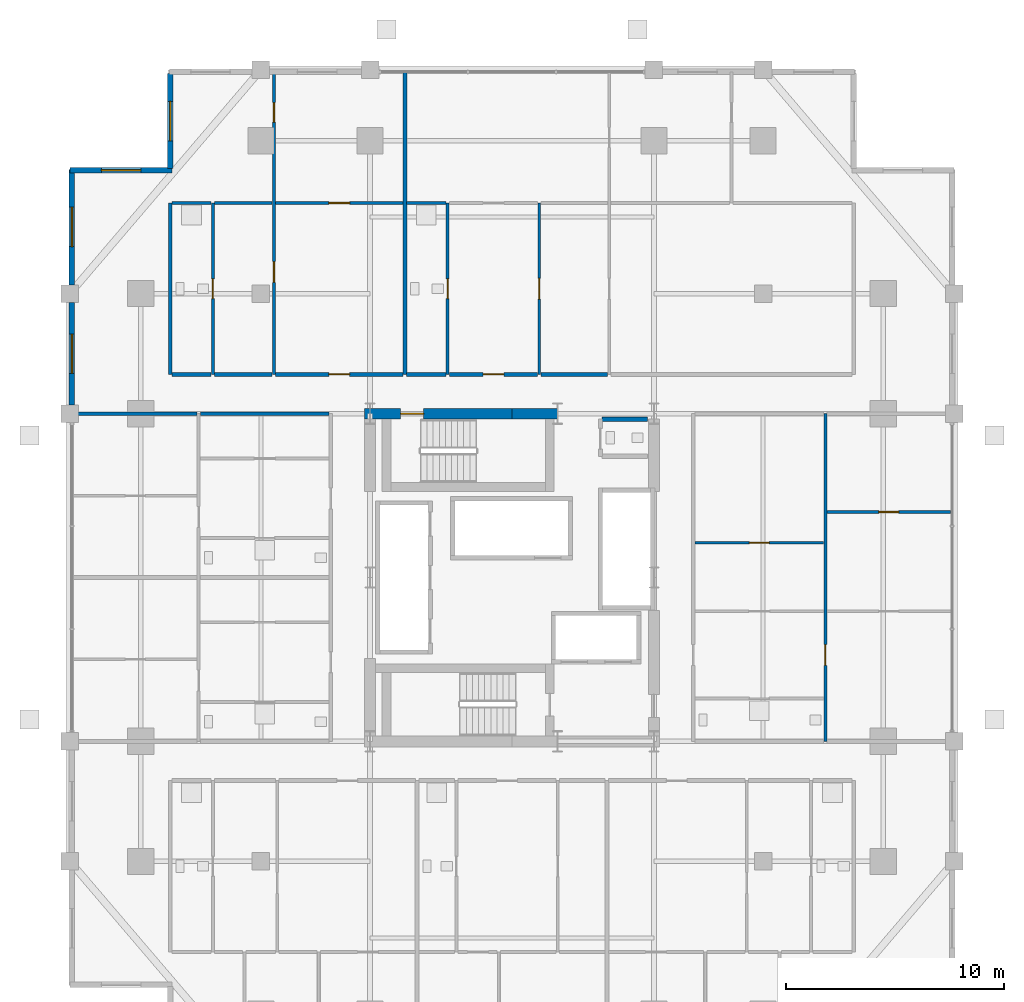
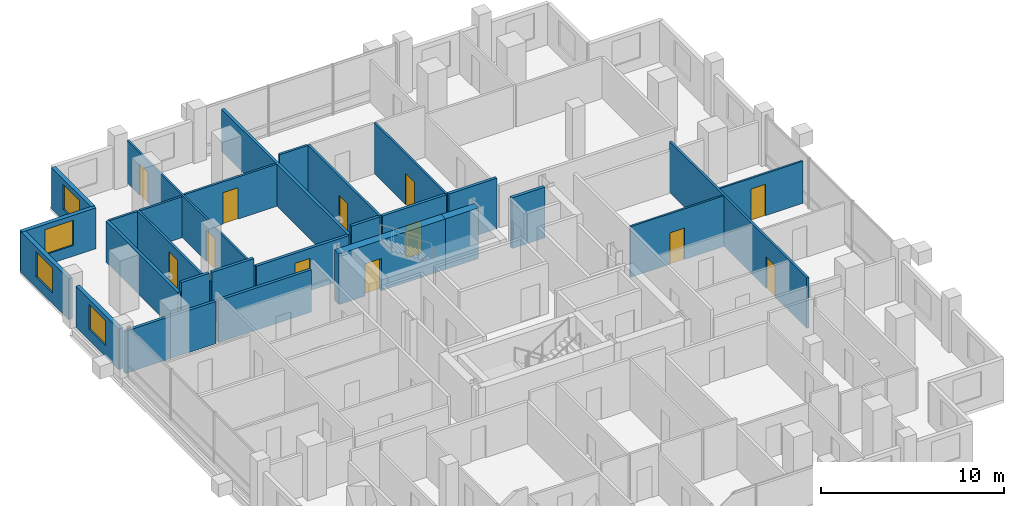
# One storey, part 17 of 20: 28 walls, 12 doors, 4 windows, 16 openings.
"""IFC4 building model written with IfcOpenShell, lengths in metres."""

from ifc_helpers import new_model, si_unit, direction, frame, frame_2d, origin, place, context, subcontext, project, spatial, rectangle, extrude, material, layer, layer_set, type_object, element, fill, save


model = new_model("IFC4")

# Units and contexts
model_context = context("Model", 3, precision=1e-05, world=origin(), true_north=direction((0.0, 1.0)))
body_context = subcontext(model_context, "Body", "Model", "MODEL_VIEW")
ifc_project = project(units=[si_unit("LENGTHUNIT", "METRE"), si_unit("AREAUNIT", "SQUARE_METRE"), si_unit("VOLUMEUNIT", "CUBIC_METRE"), si_unit("PLANEANGLEUNIT", "RADIAN"), si_unit("MASSUNIT", "GRAM", prefix="KILO")], contexts=[model_context])

# Site, building, storey
site_placement = place(None, origin())
site = spatial("IfcSite", under=ifc_project, at=site_placement, CompositionType="ELEMENT")
building_placement = place(site_placement, origin())
building = spatial("IfcBuilding", under=site, at=building_placement, Name="Barlavira Tower and Art Museum", CompositionType="ELEMENT")
storey_placement = place(building_placement, frame((0.0, 0.0, 102.60009765625)))
storey = spatial("IfcBuildingStorey", under=building, at=storey_placement, Name="L25", CompositionType="ELEMENT", Elevation=102.60009765625)

# Wall, openings, doors
ifc_material_1 = material(Name="Gypsum acoustic stud partition", Category="gypsum")
ifc_layer_1 = layer(ifc_material_1, 0.1201171875, Name="Gypsum acoustic stud partition")
ifc_layer_set_1 = layer_set([ifc_layer_1], Name="Gypsum acoustic stud partition")
wall_type_1 = type_object("IfcWallType", Name="Apartment Internal Acoustic Partition 120", PredefinedType="PARTITIONING", material=ifc_layer_set_1)
wall_1_placement = place(storey_placement, frame((-10.89990234375, 9.300048828125, 0.0), z_axis=(0.0, 0.0, 1.0), x_axis=(0.0, 1.0, 0.0)))
wall_1 = element("IfcWall", 1, at=wall_1_placement, inside=storey, type_object=wall_type_1, Name="L25 Partition Wall 7", PredefinedType="PARTITIONING", context=body_context, shape_type="SweptSolid", body=[
    extrude(rectangle(XDim=13.849853515625, YDim=0.1201171875, at=frame_2d((6.9248046875, 0.0))), origin(), (0.0, 0.0, 1.0), 2.81591796875),
])
opening_1_placement = place(wall_1_placement, frame((4.218505859375, 0.0, 0.0)))
opening_1 = element("IfcOpeningElement", 2, at=opening_1_placement, cuts=wall_1, Name="Opening D-02", PredefinedType="OPENING", context=body_context, shape_type="SweptSolid", body=[
    extrude(rectangle(XDim=0.949951171875, YDim=2.10009765625, at=frame_2d((0.47509765625, 1.050048828125))), frame((0.0, 0.070068359375, 0.0), z_axis=(0.0, -1.0, 0.0), x_axis=(1.0, 0.0, 0.0)), (0.0, 0.0, 1.0), 0.14013671875),
])
opening_2_placement = place(wall_1_placement, frame((11.551025390625, 0.0, 0.0)))
opening_2 = element("IfcOpeningElement", 3, at=opening_2_placement, cuts=wall_1, Name="Opening D-01", PredefinedType="OPENING", context=body_context, shape_type="SweptSolid", body=[
    extrude(rectangle(XDim=0.89990234375, YDim=2.10009765625, at=frame_2d((0.449951171875, 1.050048828125))), frame((0.0, 0.070068359375, 0.0), z_axis=(0.0, -1.0, 0.0), x_axis=(1.0, 0.0, 0.0)), (0.0, 0.0, 1.0), 0.14013671875),
])
ifc_material_2 = material(Name="Engineered coastal hardwood", Category="wood")
door_type_1 = type_object("IfcDoorType", Name="Internal Bedroom Timber Flush Door 900x2100", OperationType="NOTDEFINED", PredefinedType="DOOR", material=ifc_material_2)
door_1_placement = place(opening_2_placement, origin())
door_1 = element("IfcDoor", 4, at=door_1_placement, inside=storey, type_object=door_type_1, Name="Apartment N1 Bedroom 1 Door", OperationType="SINGLE_SWING_RIGHT", OverallHeight=2.10009765625, OverallWidth=0.89990234375, PredefinedType="DOOR", context=body_context, shape_type="SweptSolid", body=[
    extrude(rectangle(XDim=0.89990234375, YDim=2.10009765625, at=frame_2d((0.449951171875, 1.050048828125))), frame((0.0, 0.02490234375, 0.0), z_axis=(0.0, -1.0, 0.0), x_axis=(1.0, 0.0, 0.0)), (0.0, 0.0, 1.0), 0.050048828125),
])
fill(opening_2, door_1)
door_type_2 = type_object("IfcDoorType", Name="Living and Salon Glazed-Leaf Door 950x2100", OperationType="NOTDEFINED", PredefinedType="DOOR", material=ifc_material_2)
door_2_placement = place(opening_1_placement, origin())
door_2 = element("IfcDoor", 5, at=door_2_placement, inside=storey, type_object=door_type_2, Name="Apartment N1 Kitchen Door", OperationType="SINGLE_SWING_LEFT", OverallHeight=2.10009765625, OverallWidth=0.949951171875, PredefinedType="DOOR", context=body_context, shape_type="SweptSolid", body=[
    extrude(rectangle(XDim=0.949951171875, YDim=2.10009765625, at=frame_2d((0.47509765625, 1.050048828125))), frame((0.0, 0.02490234375, 0.0), z_axis=(0.0, -1.0, 0.0), x_axis=(1.0, 0.0, 0.0)), (0.0, 0.0, 1.0), 0.050048828125),
])
fill(opening_1, door_2)

# Wall, opening, door
wall_2_placement = place(storey_placement, frame((1.25, 9.300048828125, 0.0), z_axis=(0.0, 0.0, 1.0), x_axis=(0.0, 1.0, 0.0)))
wall_2 = element("IfcWall", 6, at=wall_2_placement, inside=storey, type_object=wall_type_1, Name="L25 Partition Wall 16", PredefinedType="PARTITIONING", context=body_context, shape_type="SweptSolid", body=[
    extrude(rectangle(XDim=7.849853515625, YDim=0.1201171875, at=frame_2d((3.9248046875, 0.0))), origin(), (0.0, 0.0, 1.0), 3.3798828125),
])
opening_3_placement = place(wall_2_placement, frame((3.445068359375, 0.0, 0.0)))
opening_3 = element("IfcOpeningElement", 7, at=opening_3_placement, cuts=wall_2, Name="Opening D-02", PredefinedType="OPENING", context=body_context, shape_type="SweptSolid", body=[
    extrude(rectangle(XDim=0.949951171875, YDim=2.10009765625, at=frame_2d((0.47509765625, 1.050048828125))), frame((0.0, 0.070068359375, 0.0), z_axis=(0.0, -1.0, 0.0), x_axis=(1.0, 0.0, 0.0)), (0.0, 0.0, 1.0), 0.14013671875),
])
door_3_placement = place(opening_3_placement, origin())
door_3 = element("IfcDoor", 8, at=door_3_placement, inside=storey, type_object=door_type_2, Name="Apartment N2 Kitchen Door", OperationType="SINGLE_SWING_LEFT", OverallHeight=2.10009765625, OverallWidth=0.949951171875, PredefinedType="DOOR", context=body_context, shape_type="SweptSolid", body=[
    extrude(rectangle(XDim=0.949951171875, YDim=2.10009765625, at=frame_2d((0.47509765625, 1.050048828125))), frame((0.0, 0.02490234375, 0.0), z_axis=(0.0, -1.0, 0.0), x_axis=(1.0, 0.0, 0.0)), (0.0, 0.0, 1.0), 0.050048828125),
])
fill(opening_3, door_3)

wall_3_placement = place(storey_placement, frame((8.3798828125, 1.60009765625, 0.0), z_axis=(0.0, 0.0, 1.0), x_axis=(1.0, 0.0, 0.0)))
wall_3 = element("IfcWall", 9, at=wall_3_placement, inside=storey, type_object=wall_type_1, Name="L25 Partition Wall 65", PredefinedType="PARTITIONING", context=body_context, shape_type="SweptSolid", body=[
    extrude(rectangle(XDim=5.89013671875, YDim=0.1201171875, at=frame_2d((2.945068359375, 0.0))), origin(), (0.0, 0.0, 1.0), 3.3798828125),
])
opening_4_placement = place(wall_3_placement, frame((2.489990234375, 0.0, 0.0)))
opening_4 = element("IfcOpeningElement", 10, at=opening_4_placement, cuts=wall_3, Name="Opening D-01", PredefinedType="OPENING", context=body_context, shape_type="SweptSolid", body=[
    extrude(rectangle(XDim=0.89990234375, YDim=2.10009765625, at=frame_2d((0.449951171875, 1.050048828125))), frame((0.0, 0.070068359375, 0.0), z_axis=(0.0, -1.0, 0.0), x_axis=(1.0, 0.0, 0.0)), (0.0, 0.0, 1.0), 0.14013671875),
])
door_4_placement = place(opening_4_placement, origin())
door_4 = element("IfcDoor", 11, at=door_4_placement, inside=storey, type_object=door_type_1, Name="Apartment E1 Walk-In Dressing Room Door", OperationType="SINGLE_SWING_LEFT", OverallHeight=2.10009765625, OverallWidth=0.89990234375, PredefinedType="DOOR", context=body_context, shape_type="SweptSolid", body=[
    extrude(rectangle(XDim=0.89990234375, YDim=2.10009765625, at=frame_2d((0.449951171875, 1.050048828125))), frame((0.0, 0.02490234375, 0.0), z_axis=(0.0, -1.0, 0.0), x_axis=(1.0, 0.0, 0.0)), (0.0, 0.0, 1.0), 0.050048828125),
])
fill(opening_4, door_4)

wall_4_placement = place(storey_placement, frame((14.429931640625, 3.0, 0.0), z_axis=(0.0, 0.0, 1.0), x_axis=(1.0, 0.0, 0.0)))
wall_4 = element("IfcWall", 12, at=wall_4_placement, inside=storey, type_object=wall_type_1, Name="L25 Partition Wall 67", PredefinedType="PARTITIONING", context=body_context, shape_type="SweptSolid", body=[
    extrude(rectangle(XDim=5.64013671875, YDim=0.1201171875, at=frame_2d((2.820068359375, 0.0))), origin(), (0.0, 0.0, 1.0), 2.81591796875),
])
opening_5_placement = place(wall_4_placement, frame((2.3701171875, 0.0, 0.0)))
opening_5 = element("IfcOpeningElement", 13, at=opening_5_placement, cuts=wall_4, Name="Opening D-01", PredefinedType="OPENING", context=body_context, shape_type="SweptSolid", body=[
    extrude(rectangle(XDim=0.89990234375, YDim=2.10009765625, at=frame_2d((0.449951171875, 1.050048828125))), frame((0.0, 0.070068359375, 0.0), z_axis=(0.0, -1.0, 0.0), x_axis=(1.0, 0.0, 0.0)), (0.0, 0.0, 1.0), 0.14013671875),
])
door_5_placement = place(opening_5_placement, origin())
door_5 = element("IfcDoor", 14, at=door_5_placement, inside=storey, type_object=door_type_1, Name="Apartment E1 Bedroom 2 Door", OperationType="SINGLE_SWING_RIGHT", OverallHeight=2.10009765625, OverallWidth=0.89990234375, PredefinedType="DOOR", context=body_context, shape_type="SweptSolid", body=[
    extrude(rectangle(XDim=0.89990234375, YDim=2.10009765625, at=frame_2d((0.449951171875, 1.050048828125))), frame((0.0, 0.02490234375, 0.0), z_axis=(0.0, -1.0, 0.0), x_axis=(1.0, 0.0, 0.0)), (0.0, 0.0, 1.0), 0.050048828125),
])
fill(opening_5, door_5)

ifc_material_3 = material(Name="Concrete C60", Category="concrete")
ifc_layer_2 = layer(ifc_material_3, 0.5, Name="Concrete C60")
ifc_layer_set_2 = layer_set([ifc_layer_2], Name="Concrete C60")
wall_type_2 = type_object("IfcWallType", Name="Core Structural Shear Wall 500 Concrete C60", PredefinedType="SHEAR", material=ifc_layer_set_2)
wall_5_placement = place(storey_placement, frame((-6.75, 7.5, 0.0), z_axis=(0.0, 0.0, 1.0), x_axis=(1.0, 0.0, 0.0)))
wall_5 = element("IfcWall", 15, at=wall_5_placement, inside=storey, type_object=wall_type_2, Name="L25 Core Shear Wall CS-NW", PredefinedType="SHEAR", context=body_context, shape_type="SweptSolid", body=[
    extrude(rectangle(XDim=6.75, YDim=0.5, at=frame_2d((3.375, 0.0))), origin(), (0.0, 0.0, 1.0), 3.3798828125),
])
opening_6_placement = place(wall_5_placement, frame((1.64990234375, 0.0, 0.0)))
opening_6 = element("IfcOpeningElement", 16, at=opening_6_placement, cuts=wall_5, Name="Opening FD-90", PredefinedType="OPENING", context=body_context, shape_type="SweptSolid", body=[
    extrude(rectangle(XDim=1.050048828125, YDim=2.14990234375, at=frame_2d((0.52490234375, 1.074951171875))), frame((0.0, 0.260009765625, 0.0), z_axis=(0.0, -1.0, 0.0), x_axis=(1.0, 0.0, 0.0)), (0.0, 0.0, 1.0), 0.52001953125),
])
ifc_material_4 = material(Name="Brushed stainless steel", Category="steel")
door_type_3 = type_object("IfcDoorType", Name="Stair and Refuge Fire Door 1050x2150 FD90S", OperationType="NOTDEFINED", PredefinedType="DOOR", material=ifc_material_4)
door_6_placement = place(opening_6_placement, origin())
door_6 = element("IfcDoor", 17, at=door_6_placement, inside=storey, type_object=door_type_3, Name="L25 Stair ST-T2 Fire Door", OperationType="SINGLE_SWING_LEFT", OverallHeight=2.14990234375, OverallWidth=1.050048828125, PredefinedType="DOOR", context=body_context, shape_type="SweptSolid", body=[
    extrude(rectangle(XDim=1.050048828125, YDim=2.14990234375, at=frame_2d((0.52490234375, 1.074951171875))), frame((0.0, 0.02490234375, 0.0), z_axis=(0.0, -1.0, 0.0), x_axis=(1.0, 0.0, 0.0)), (0.0, 0.0, 1.0), 0.050048828125),
])
fill(opening_6, door_6)

# Walls
wall_6_placement = place(storey_placement, frame((0.0, 7.5, 0.0), z_axis=(0.0, 0.0, 1.0), x_axis=(1.0, 0.0, 0.0)))
element("IfcWall", 18, at=wall_6_placement, inside=storey, type_object=wall_type_2, Name="L25 Core Shear Wall CS-EN", PredefinedType="SHEAR", context=body_context, shape_type="SweptSolid", body=[
    extrude(rectangle(XDim=2.080078125, YDim=0.5, at=frame_2d((1.0400390625, 0.0))), origin(), (0.0, 0.0, 1.0), 3.3798828125),
])
ifc_material_5 = material(Name="Autoclaved aerated concrete masonry", Category="masonry")
ifc_layer_3 = layer(ifc_material_5, 0.199951171875, Name="Autoclaved aerated concrete masonry")
ifc_layer_set_3 = layer_set([ifc_layer_3], Name="Autoclaved aerated concrete masonry")
wall_type_3 = type_object("IfcWallType", Name="Fire Compartment and Shaft Wall 200", PredefinedType="SOLIDWALL", material=ifc_layer_set_3)
wall_7_placement = place(storey_placement, frame((4.1298828125, 7.25, 0.0), z_axis=(0.0, 0.0, 1.0), x_axis=(1.0, 0.0, 0.0)))
element("IfcWall", 19, at=wall_7_placement, inside=storey, type_object=wall_type_3, Name="L25 Partition Wall 71", PredefinedType="SOLIDWALL", context=body_context, shape_type="SweptSolid", body=[
    extrude(rectangle(XDim=2.070068359375, YDim=0.199951171875, at=frame_2d((1.03515625, 0.0))), origin(), (0.0, 0.0, 1.0), 3.3798828125),
])
ifc_layer_4 = layer(ifc_material_1, 0.179931640625, Name="Gypsum acoustic stud partition")
ifc_layer_set_4 = layer_set([ifc_layer_4], Name="Gypsum acoustic stud partition")
wall_type_4 = type_object("IfcWallType", Name="Inter-Tenancy Party Partition Wall 180", PredefinedType="PARTITIONING", material=ifc_layer_set_4)
wall_8_placement = place(storey_placement, frame((-15.64990234375, 9.300048828125, 0.0), z_axis=(0.0, 0.0, 1.0), x_axis=(0.0, 1.0, 0.0)))
element("IfcWall", 20, at=wall_8_placement, inside=storey, type_object=wall_type_4, Name="L25 Partition Wall 2", PredefinedType="PARTITIONING", context=body_context, shape_type="SweptSolid", body=[
    extrude(rectangle(XDim=7.849853515625, YDim=0.179931640625, at=frame_2d((3.9248046875, 0.0))), origin(), (0.0, 0.0, 1.0), 2.73583984375),
])
wall_9_placement = place(storey_placement, frame((-4.89990234375, 9.300048828125, 0.0), z_axis=(0.0, 0.0, 1.0), x_axis=(0.0, 1.0, 0.0)))
element("IfcWall", 21, at=wall_9_placement, inside=storey, type_object=wall_type_4, Name="L25 Partition Wall 11", PredefinedType="PARTITIONING", context=body_context, shape_type="SweptSolid", body=[
    extrude(rectangle(XDim=13.849853515625, YDim=0.179931640625, at=frame_2d((6.9248046875, 0.0))), origin(), (0.0, 0.0, 1.0), 2.81591796875),
])
wall_10_placement = place(storey_placement, frame((-20.14990234375, 7.5, 0.0), z_axis=(0.0, 0.0, 1.0), x_axis=(1.0, 0.0, 0.0)))
element("IfcWall", 22, at=wall_10_placement, inside=storey, type_object=wall_type_4, Name="L25 Partition Wall 72", PredefinedType="PARTITIONING", context=body_context, shape_type="SweptSolid", body=[
    extrude(rectangle(XDim=5.719970703125, YDim=0.179931640625, at=frame_2d((2.85986328125, 0.0))), origin(), (0.0, 0.0, 1.0), 2.81591796875),
])
wall_11_placement = place(storey_placement, frame((-14.27001953125, 7.5, 0.0), z_axis=(0.0, 0.0, 1.0), x_axis=(1.0, 0.0, 0.0)))
element("IfcWall", 23, at=wall_11_placement, inside=storey, type_object=wall_type_4, Name="L25 Partition Wall 73", PredefinedType="PARTITIONING", context=body_context, shape_type="SweptSolid", body=[
    extrude(rectangle(XDim=5.89013671875, YDim=0.179931640625, at=frame_2d((2.945068359375, 0.0))), origin(), (0.0, 0.0, 1.0), 2.81591796875),
])
wall_12_placement = place(storey_placement, frame((-15.570068359375, 9.300048828125, 0.0), z_axis=(0.0, 0.0, 1.0), x_axis=(1.0, 0.0, 0.0)))
element("IfcWall", 24, at=wall_12_placement, inside=storey, type_object=wall_type_4, Name="L25 Partition Wall 76", PredefinedType="PARTITIONING", context=body_context, shape_type="SweptSolid", body=[
    extrude(rectangle(XDim=1.7900390625, YDim=0.179931640625, at=frame_2d((0.89501953125, 0.0))), origin(), (0.0, 0.0, 1.0), 3.3798828125),
])
wall_13_placement = place(storey_placement, frame((-13.6201171875, 9.300048828125, 0.0), z_axis=(0.0, 0.0, 1.0), x_axis=(1.0, 0.0, 0.0)))
element("IfcWall", 25, at=wall_13_placement, inside=storey, type_object=wall_type_4, Name="L25 Partition Wall 77", PredefinedType="PARTITIONING", context=body_context, shape_type="SweptSolid", body=[
    extrude(rectangle(XDim=2.64013671875, YDim=0.179931640625, at=frame_2d((1.320068359375, 0.0))), origin(), (0.0, 0.0, 1.0), 3.3798828125),
])

# Wall, opening, door
wall_14_placement = place(storey_placement, frame((-10.820068359375, 9.300048828125, 0.0), z_axis=(0.0, 0.0, 1.0), x_axis=(1.0, 0.0, 0.0)))
wall_14 = element("IfcWall", 26, at=wall_14_placement, inside=storey, type_object=wall_type_4, Name="L25 Partition Wall 78", PredefinedType="PARTITIONING", context=body_context, shape_type="SweptSolid", body=[
    extrude(rectangle(XDim=5.840087890625, YDim=0.179931640625, at=frame_2d((2.919921875, 0.0))), origin(), (0.0, 0.0, 1.0), 2.81591796875),
])
opening_7_placement = place(wall_14_placement, frame((2.43505859375, 0.0, 0.0)))
opening_7 = element("IfcOpeningElement", 27, at=opening_7_placement, cuts=wall_14, Name="Opening FD-60", PredefinedType="OPENING", context=body_context, shape_type="SweptSolid", body=[
    extrude(rectangle(XDim=0.949951171875, YDim=2.14990234375, at=frame_2d((0.47509765625, 1.074951171875))), frame((0.0, 0.10009765625, 0.0), z_axis=(0.0, -1.0, 0.0), x_axis=(1.0, 0.0, 0.0)), (0.0, 0.0, 1.0), 0.199951171875),
])
door_type_4 = type_object("IfcDoorType", Name="Apartment Entrance and Riser Fire Door 950x2150 FD60S", OperationType="NOTDEFINED", PredefinedType="DOOR", material=ifc_material_4)
door_7_placement = place(opening_7_placement, origin())
door_7 = element("IfcDoor", 28, at=door_7_placement, inside=storey, type_object=door_type_4, Name="Apartment Entrance Hall N1 Door", OperationType="SINGLE_SWING_RIGHT", OverallHeight=2.14990234375, OverallWidth=0.949951171875, PredefinedType="DOOR", context=body_context, shape_type="SweptSolid", body=[
    extrude(rectangle(XDim=0.949951171875, YDim=2.14990234375, at=frame_2d((0.47509765625, 1.074951171875))), frame((0.0, 0.02490234375, 0.0), z_axis=(0.0, -1.0, 0.0), x_axis=(1.0, 0.0, 0.0)), (0.0, 0.0, 1.0), 0.050048828125),
])
fill(opening_7, door_7)

# Wall
wall_15_placement = place(storey_placement, frame((-4.820068359375, 9.300048828125, 0.0), z_axis=(0.0, 0.0, 1.0), x_axis=(1.0, 0.0, 0.0)))
element("IfcWall", 29, at=wall_15_placement, inside=storey, type_object=wall_type_4, Name="L25 Partition Wall 79", PredefinedType="PARTITIONING", context=body_context, shape_type="SweptSolid", body=[
    extrude(rectangle(XDim=1.7900390625, YDim=0.179931640625, at=frame_2d((0.89501953125, 0.0))), origin(), (0.0, 0.0, 1.0), 3.3798828125),
])

# Wall, opening, door
wall_16_placement = place(storey_placement, frame((-2.8701171875, 9.300048828125, 0.0), z_axis=(0.0, 0.0, 1.0), x_axis=(1.0, 0.0, 0.0)))
wall_16 = element("IfcWall", 30, at=wall_16_placement, inside=storey, type_object=wall_type_4, Name="L25 Partition Wall 80", PredefinedType="PARTITIONING", context=body_context, shape_type="SweptSolid", body=[
    extrude(rectangle(XDim=4.0400390625, YDim=0.179931640625, at=frame_2d((2.02001953125, 0.0))), origin(), (0.0, 0.0, 1.0), 3.3798828125),
])
opening_8_placement = place(wall_16_placement, frame((1.544921875, 0.0, 0.0)))
opening_8 = element("IfcOpeningElement", 31, at=opening_8_placement, cuts=wall_16, Name="Opening FD-60", PredefinedType="OPENING", context=body_context, shape_type="SweptSolid", body=[
    extrude(rectangle(XDim=0.949951171875, YDim=2.14990234375, at=frame_2d((0.47509765625, 1.074951171875))), frame((0.0, 0.10009765625, 0.0), z_axis=(0.0, -1.0, 0.0), x_axis=(1.0, 0.0, 0.0)), (0.0, 0.0, 1.0), 0.199951171875),
])
door_8_placement = place(opening_8_placement, origin())
door_8 = element("IfcDoor", 32, at=door_8_placement, inside=storey, type_object=door_type_4, Name="Apartment Entrance Hall N2 Door", OperationType="SINGLE_SWING_RIGHT", OverallHeight=2.14990234375, OverallWidth=0.949951171875, PredefinedType="DOOR", context=body_context, shape_type="SweptSolid", body=[
    extrude(rectangle(XDim=0.949951171875, YDim=2.14990234375, at=frame_2d((0.47509765625, 1.074951171875))), frame((0.0, 0.02490234375, 0.0), z_axis=(0.0, -1.0, 0.0), x_axis=(1.0, 0.0, 0.0)), (0.0, 0.0, 1.0), 0.050048828125),
])
fill(opening_8, door_8)

# Wall
wall_17_placement = place(storey_placement, frame((1.330078125, 9.300048828125, 0.0), z_axis=(0.0, 0.0, 1.0), x_axis=(1.0, 0.0, 0.0)))
element("IfcWall", 33, at=wall_17_placement, inside=storey, type_object=wall_type_4, Name="L25 Partition Wall 81", PredefinedType="PARTITIONING", context=body_context, shape_type="SweptSolid", body=[
    extrude(rectangle(XDim=3.0400390625, YDim=0.179931640625, at=frame_2d((1.52001953125, 0.0))), origin(), (0.0, 0.0, 1.0), 3.3798828125),
])

# Wall, opening, door
ifc_layer_5 = layer(ifc_material_1, 0.139892578125, Name="Gypsum acoustic stud partition")
ifc_layer_set_5 = layer_set([ifc_layer_5], Name="Gypsum acoustic stud partition")
wall_type_5 = type_object("IfcWallType", Name="Moisture-Resistant Bathroom Partition 140", PredefinedType="PARTITIONING", material=ifc_layer_set_5)
wall_18_placement = place(storey_placement, frame((-13.699951171875, 9.300048828125, 0.0), z_axis=(0.0, 0.0, 1.0), x_axis=(0.0, 1.0, 0.0)))
wall_18 = element("IfcWall", 34, at=wall_18_placement, inside=storey, type_object=wall_type_5, Name="L25 Partition Wall 5", PredefinedType="PARTITIONING", context=body_context, shape_type="SweptSolid", body=[
    extrude(rectangle(XDim=7.849853515625, YDim=0.139892578125, at=frame_2d((3.9248046875, 0.0))), origin(), (0.0, 0.0, 1.0), 2.73583984375),
])
opening_9_placement = place(wall_18_placement, frame((3.469970703125, 0.0, 0.0)))
opening_9 = element("IfcOpeningElement", 35, at=opening_9_placement, cuts=wall_18, Name="Opening D-WC", PredefinedType="OPENING", context=body_context, shape_type="SweptSolid", body=[
    extrude(rectangle(XDim=0.89990234375, YDim=2.10009765625, at=frame_2d((0.449951171875, 1.050048828125))), frame((0.0, 0.080078125, 0.0), z_axis=(0.0, -1.0, 0.0), x_axis=(1.0, 0.0, 0.0)), (0.0, 0.0, 1.0), 0.159912109375),
])
door_type_5 = type_object("IfcDoorType", Name="Accessible Bathroom Flush Door 900x2100", OperationType="NOTDEFINED", PredefinedType="DOOR", material=ifc_material_2)
door_9_placement = place(opening_9_placement, origin())
door_9 = element("IfcDoor", 36, at=door_9_placement, inside=storey, type_object=door_type_5, Name="Apartment N1 Hall Bathroom Door", OperationType="SINGLE_SWING_RIGHT", OverallHeight=2.10009765625, OverallWidth=0.89990234375, PredefinedType="DOOR", context=body_context, shape_type="SweptSolid", body=[
    extrude(rectangle(XDim=0.89990234375, YDim=2.10009765625, at=frame_2d((0.449951171875, 1.050048828125))), frame((0.0, 0.02490234375, 0.0), z_axis=(0.0, -1.0, 0.0), x_axis=(1.0, 0.0, 0.0)), (0.0, 0.0, 1.0), 0.050048828125),
])
fill(opening_9, door_9)

wall_19_placement = place(storey_placement, frame((-2.949951171875, 9.300048828125, 0.0), z_axis=(0.0, 0.0, 1.0), x_axis=(0.0, 1.0, 0.0)))
wall_19 = element("IfcWall", 37, at=wall_19_placement, inside=storey, type_object=wall_type_5, Name="L25 Partition Wall 13", PredefinedType="PARTITIONING", context=body_context, shape_type="SweptSolid", body=[
    extrude(rectangle(XDim=7.849853515625, YDim=0.139892578125, at=frame_2d((3.9248046875, 0.0))), origin(), (0.0, 0.0, 1.0), 3.3798828125),
])
opening_10_placement = place(wall_19_placement, frame((3.469970703125, 0.0, 0.0)))
opening_10 = element("IfcOpeningElement", 38, at=opening_10_placement, cuts=wall_19, Name="Opening D-WC", PredefinedType="OPENING", context=body_context, shape_type="SweptSolid", body=[
    extrude(rectangle(XDim=0.89990234375, YDim=2.10009765625, at=frame_2d((0.449951171875, 1.050048828125))), frame((0.0, 0.080078125, 0.0), z_axis=(0.0, -1.0, 0.0), x_axis=(1.0, 0.0, 0.0)), (0.0, 0.0, 1.0), 0.159912109375),
])
door_10_placement = place(opening_10_placement, origin())
door_10 = element("IfcDoor", 39, at=door_10_placement, inside=storey, type_object=door_type_5, Name="Apartment N2 Hall Bathroom Door", OperationType="SINGLE_SWING_LEFT", OverallHeight=2.10009765625, OverallWidth=0.89990234375, PredefinedType="DOOR", context=body_context, shape_type="SweptSolid", body=[
    extrude(rectangle(XDim=0.89990234375, YDim=2.10009765625, at=frame_2d((0.449951171875, 1.050048828125))), frame((0.0, 0.02490234375, 0.0), z_axis=(0.0, -1.0, 0.0), x_axis=(1.0, 0.0, 0.0)), (0.0, 0.0, 1.0), 0.050048828125),
])
fill(opening_10, door_10)

wall_20_placement = place(storey_placement, frame((14.35009765625, -7.5, 0.0), z_axis=(0.0, 0.0, 1.0), x_axis=(0.0, 1.0, 0.0)))
wall_20 = element("IfcWall", 40, at=wall_20_placement, inside=storey, type_object=wall_type_5, Name="L25 Partition Wall 27", PredefinedType="PARTITIONING", context=body_context, shape_type="SweptSolid", body=[
    extrude(rectangle(XDim=15.0, YDim=0.139892578125, at=frame_2d((7.5, 0.0))), origin(), (0.0, 0.0, 1.0), 3.3798828125),
])
opening_11_placement = place(wall_20_placement, frame((3.47509765625, 0.0, 0.0)))
opening_11 = element("IfcOpeningElement", 41, at=opening_11_placement, cuts=wall_20, Name="Opening D-02", PredefinedType="OPENING", context=body_context, shape_type="SweptSolid", body=[
    extrude(rectangle(XDim=0.949951171875, YDim=2.10009765625, at=frame_2d((0.47509765625, 1.050048828125))), frame((0.0, 0.080078125, 0.0), z_axis=(0.0, -1.0, 0.0), x_axis=(1.0, 0.0, 0.0)), (0.0, 0.0, 1.0), 0.159912109375),
])
door_11_placement = place(opening_11_placement, origin())
door_11 = element("IfcDoor", 42, at=door_11_placement, inside=storey, type_object=door_type_2, Name="Apartment E1 Living Lounge Door", OperationType="SINGLE_SWING_RIGHT", OverallHeight=2.10009765625, OverallWidth=0.949951171875, PredefinedType="DOOR", context=body_context, shape_type="SweptSolid", body=[
    extrude(rectangle(XDim=0.949951171875, YDim=2.10009765625, at=frame_2d((0.47509765625, 1.050048828125))), frame((0.0, 0.02490234375, 0.0), z_axis=(0.0, -1.0, 0.0), x_axis=(1.0, 0.0, 0.0)), (0.0, 0.0, 1.0), 0.050048828125),
])
fill(opening_11, door_11)

# Walls
wall_21_placement = place(storey_placement, frame((-15.570068359375, 17.14990234375, 0.0), z_axis=(0.0, 0.0, 1.0), x_axis=(1.0, 0.0, 0.0)))
element("IfcWall", 43, at=wall_21_placement, inside=storey, type_object=wall_type_5, Name="L25 Partition Wall 83", PredefinedType="PARTITIONING", context=body_context, shape_type="SweptSolid", body=[
    extrude(rectangle(XDim=1.7900390625, YDim=0.139892578125, at=frame_2d((0.89501953125, 0.0))), origin(), (0.0, 0.0, 1.0), 2.73583984375),
])
wall_22_placement = place(storey_placement, frame((-13.6201171875, 17.14990234375, 0.0), z_axis=(0.0, 0.0, 1.0), x_axis=(1.0, 0.0, 0.0)))
element("IfcWall", 44, at=wall_22_placement, inside=storey, type_object=wall_type_5, Name="L25 Partition Wall 84", PredefinedType="PARTITIONING", context=body_context, shape_type="SweptSolid", body=[
    extrude(rectangle(XDim=2.64013671875, YDim=0.139892578125, at=frame_2d((1.320068359375, 0.0))), origin(), (0.0, 0.0, 1.0), 2.73583984375),
])

# Wall, opening, door
wall_23_placement = place(storey_placement, frame((-10.820068359375, 17.14990234375, 0.0), z_axis=(0.0, 0.0, 1.0), x_axis=(1.0, 0.0, 0.0)))
wall_23 = element("IfcWall", 45, at=wall_23_placement, inside=storey, type_object=wall_type_5, Name="L25 Partition Wall 85", PredefinedType="PARTITIONING", context=body_context, shape_type="SweptSolid", body=[
    extrude(rectangle(XDim=5.840087890625, YDim=0.139892578125, at=frame_2d((2.919921875, 0.0))), origin(), (0.0, 0.0, 1.0), 2.81591796875),
])
opening_12_placement = place(wall_23_placement, frame((2.43505859375, 0.0, 0.0)))
opening_12 = element("IfcOpeningElement", 46, at=opening_12_placement, cuts=wall_23, Name="Opening D-02", PredefinedType="OPENING", context=body_context, shape_type="SweptSolid", body=[
    extrude(rectangle(XDim=0.949951171875, YDim=2.10009765625, at=frame_2d((0.47509765625, 1.050048828125))), frame((0.0, 0.080078125, 0.0), z_axis=(0.0, -1.0, 0.0), x_axis=(1.0, 0.0, 0.0)), (0.0, 0.0, 1.0), 0.159912109375),
])
door_12_placement = place(opening_12_placement, origin())
door_12 = element("IfcDoor", 47, at=door_12_placement, inside=storey, type_object=door_type_2, Name="Apartment N1 Living Lounge Door", OperationType="SINGLE_SWING_LEFT", OverallHeight=2.10009765625, OverallWidth=0.949951171875, PredefinedType="DOOR", context=body_context, shape_type="SweptSolid", body=[
    extrude(rectangle(XDim=0.949951171875, YDim=2.10009765625, at=frame_2d((0.47509765625, 1.050048828125))), frame((0.0, 0.02490234375, 0.0), z_axis=(0.0, -1.0, 0.0), x_axis=(1.0, 0.0, 0.0)), (0.0, 0.0, 1.0), 0.050048828125),
])
fill(opening_12, door_12)

# Wall
wall_24_placement = place(storey_placement, frame((-4.820068359375, 17.14990234375, 0.0), z_axis=(0.0, 0.0, 1.0), x_axis=(1.0, 0.0, 0.0)))
element("IfcWall", 48, at=wall_24_placement, inside=storey, type_object=wall_type_5, Name="L25 Partition Wall 86", PredefinedType="PARTITIONING", context=body_context, shape_type="SweptSolid", body=[
    extrude(rectangle(XDim=1.7900390625, YDim=0.139892578125, at=frame_2d((0.89501953125, 0.0))), origin(), (0.0, 0.0, 1.0), 3.3798828125),
])

# Wall, opening, window
ifc_material_6 = material(Name="Precast concrete C40", Category="concrete")
ifc_layer_6 = layer(ifc_material_6, 0.25, Name="Precast concrete C40")
ifc_layer_set_6 = layer_set([ifc_layer_6], Name="Precast concrete C40")
wall_type_6 = type_object("IfcWallType", Name="Notched Corner Spandrel Wall 250 Precast Concrete C40", PredefinedType="SOLIDWALL", material=ifc_layer_set_6)
wall_25_placement = place(storey_placement, frame((-20.14990234375, 18.675048828125, 0.0), z_axis=(0.0, 0.0, 1.0), x_axis=(0.0, -1.0, 0.0)))
wall_25 = element("IfcWall", 49, at=wall_25_placement, inside=storey, type_object=wall_type_6, Name="L25 Coastal Facade Pier Wall CW2-L25-W-1", PredefinedType="SOLIDWALL", context=body_context, shape_type="SweptSolid", body=[
    extrude(rectangle(XDim=5.280029296875, YDim=0.25, at=frame_2d((2.64013671875, 0.0))), origin(), (0.0, 0.0, 1.0), 2.73583984375),
])
opening_13_placement = place(wall_25_placement, frame((1.718017578125, 0.0, 0.719970703125)))
opening_13 = element("IfcOpeningElement", 50, at=opening_13_placement, cuts=wall_25, Name="Opening WN-01", PredefinedType="OPENING", context=body_context, shape_type="SweptSolid", body=[
    extrude(rectangle(XDim=1.800048828125, YDim=1.679931640625, at=frame_2d((0.89990234375, 0.83984375))), frame((0.0, 0.135009765625, 0.0), z_axis=(0.0, -1.0, 0.0), x_axis=(1.0, 0.0, 0.0)), (0.0, 0.0, 1.0), 0.27001953125),
])
ifc_material_7 = material(Name="Low-iron coastal laminated glass", Category="glass")
window_type = type_object("IfcWindowType", Name="Recessed Notch Corner Punch Window 1800x1680", PartitioningType="SINGLE_PANEL", PredefinedType="WINDOW", material=ifc_material_7)
window_1_placement = place(opening_13_placement, origin())
window_1 = element("IfcWindow", 51, at=window_1_placement, inside=storey, type_object=window_type, Name="L25 Punched Facade Window EWP-CW2-L25-W-1-1", OverallHeight=1.679931640625, OverallWidth=1.800048828125, PartitioningType="SINGLE_PANEL", PredefinedType="WINDOW", context=body_context, shape_type="SweptSolid", body=[
    extrude(rectangle(XDim=1.800048828125, YDim=1.679931640625, at=frame_2d((0.89990234375, 0.83984375))), frame((0.0, 0.030029296875, 0.0), z_axis=(0.0, -1.0, 0.0), x_axis=(1.0, 0.0, 0.0)), (0.0, 0.0, 1.0), 0.06005859375),
])
fill(opening_13, window_1)

wall_26_placement = place(storey_placement, frame((-20.14990234375, 12.60498046875, 0.0), z_axis=(0.0, 0.0, 1.0), x_axis=(0.0, -1.0, 0.0)))
wall_26 = element("IfcWall", 52, at=wall_26_placement, inside=storey, type_object=wall_type_6, Name="L25 Coastal Facade Pier Wall CW2-L25-W-2", PredefinedType="SOLIDWALL", context=body_context, shape_type="SweptSolid", body=[
    extrude(rectangle(XDim=4.7099609375, YDim=0.25, at=frame_2d((2.35498046875, 0.0))), origin(), (0.0, 0.0, 1.0), 2.73583984375),
])
opening_14_placement = place(wall_26_placement, frame((1.455078125, 0.0, 0.719970703125)))
opening_14 = element("IfcOpeningElement", 53, at=opening_14_placement, cuts=wall_26, Name="Opening WN-01", PredefinedType="OPENING", context=body_context, shape_type="SweptSolid", body=[
    extrude(rectangle(XDim=1.800048828125, YDim=1.679931640625, at=frame_2d((0.89990234375, 0.83984375))), frame((0.0, 0.135009765625, 0.0), z_axis=(0.0, -1.0, 0.0), x_axis=(1.0, 0.0, 0.0)), (0.0, 0.0, 1.0), 0.27001953125),
])
window_2_placement = place(opening_14_placement, origin())
window_2 = element("IfcWindow", 54, at=window_2_placement, inside=storey, type_object=window_type, Name="L25 Punched Facade Window EWP-CW2-L25-W-2-1", OverallHeight=1.679931640625, OverallWidth=1.800048828125, PartitioningType="SINGLE_PANEL", PredefinedType="WINDOW", context=body_context, shape_type="SweptSolid", body=[
    extrude(rectangle(XDim=1.800048828125, YDim=1.679931640625, at=frame_2d((0.89990234375, 0.83984375))), frame((0.0, 0.030029296875, 0.0), z_axis=(0.0, -1.0, 0.0), x_axis=(1.0, 0.0, 0.0)), (0.0, 0.0, 1.0), 0.06005859375),
])
fill(opening_14, window_2)

wall_27_placement = place(storey_placement, frame((-15.64990234375, 23.070068359375, 0.0), z_axis=(0.0, 0.0, 1.0), x_axis=(0.0, -1.0, 0.0)))
wall_27 = element("IfcWall", 55, at=wall_27_placement, inside=storey, type_object=wall_type_6, Name="L25 Notch Corner Wall NW1", PredefinedType="SOLIDWALL", context=body_context, shape_type="SweptSolid", body=[
    extrude(rectangle(XDim=4.340087890625, YDim=0.25, at=frame_2d((2.169921875, 0.0))), origin(), (0.0, 0.0, 1.0), 2.73583984375),
])
opening_15_placement = place(wall_27_placement, frame((1.27001953125, 0.0, 0.719970703125)))
opening_15 = element("IfcOpeningElement", 56, at=opening_15_placement, cuts=wall_27, Name="Opening WN-01", PredefinedType="OPENING", context=body_context, shape_type="SweptSolid", body=[
    extrude(rectangle(XDim=1.800048828125, YDim=1.679931640625, at=frame_2d((0.89990234375, 0.83984375))), frame((0.0, 0.135009765625, 0.0), z_axis=(0.0, -1.0, 0.0), x_axis=(1.0, 0.0, 0.0)), (0.0, 0.0, 1.0), 0.27001953125),
])
window_3_placement = place(opening_15_placement, origin())
window_3 = element("IfcWindow", 57, at=window_3_placement, inside=storey, type_object=window_type, Name="L25 Punched Facade Window EW-NTC-L25-NW1-1", OverallHeight=1.679931640625, OverallWidth=1.800048828125, PartitioningType="SINGLE_PANEL", PredefinedType="WINDOW", context=body_context, shape_type="SweptSolid", body=[
    extrude(rectangle(XDim=1.800048828125, YDim=1.679931640625, at=frame_2d((0.89990234375, 0.83984375))), frame((0.0, 0.030029296875, 0.0), z_axis=(0.0, -1.0, 0.0), x_axis=(1.0, 0.0, 0.0)), (0.0, 0.0, 1.0), 0.06005859375),
])
fill(opening_15, window_3)

wall_28_placement = place(storey_placement, frame((-15.570068359375, 18.64990234375, 0.0), z_axis=(0.0, 0.0, 1.0), x_axis=(-1.0, 0.0, 0.0)))
wall_28 = element("IfcWall", 58, at=wall_28_placement, inside=storey, type_object=wall_type_6, Name="L25 Notch Corner Wall NW2", PredefinedType="SOLIDWALL", context=body_context, shape_type="SweptSolid", body=[
    extrude(rectangle(XDim=4.659912109375, YDim=0.25, at=frame_2d((2.330078125, 0.0))), origin(), (0.0, 0.0, 1.0), 2.73583984375),
])
opening_16_placement = place(wall_28_placement, frame((1.429931640625, 0.0, 0.719970703125)))
opening_16 = element("IfcOpeningElement", 59, at=opening_16_placement, cuts=wall_28, Name="Opening WN-01", PredefinedType="OPENING", context=body_context, shape_type="SweptSolid", body=[
    extrude(rectangle(XDim=1.800048828125, YDim=1.679931640625, at=frame_2d((0.89990234375, 0.83984375))), frame((0.0, 0.135009765625, 0.0), z_axis=(0.0, -1.0, 0.0), x_axis=(1.0, 0.0, 0.0)), (0.0, 0.0, 1.0), 0.27001953125),
])
window_4_placement = place(opening_16_placement, origin())
window_4 = element("IfcWindow", 60, at=window_4_placement, inside=storey, type_object=window_type, Name="L25 Punched Facade Window EW-NTC-L25-NW2-1", OverallHeight=1.679931640625, OverallWidth=1.800048828125, PartitioningType="SINGLE_PANEL", PredefinedType="WINDOW", context=body_context, shape_type="SweptSolid", body=[
    extrude(rectangle(XDim=1.800048828125, YDim=1.679931640625, at=frame_2d((0.89990234375, 0.83984375))), frame((0.0, 0.030029296875, 0.0), z_axis=(0.0, -1.0, 0.0), x_axis=(1.0, 0.0, 0.0)), (0.0, 0.0, 1.0), 0.06005859375),
])
fill(opening_16, window_4)

save(model, "model.ifc")
